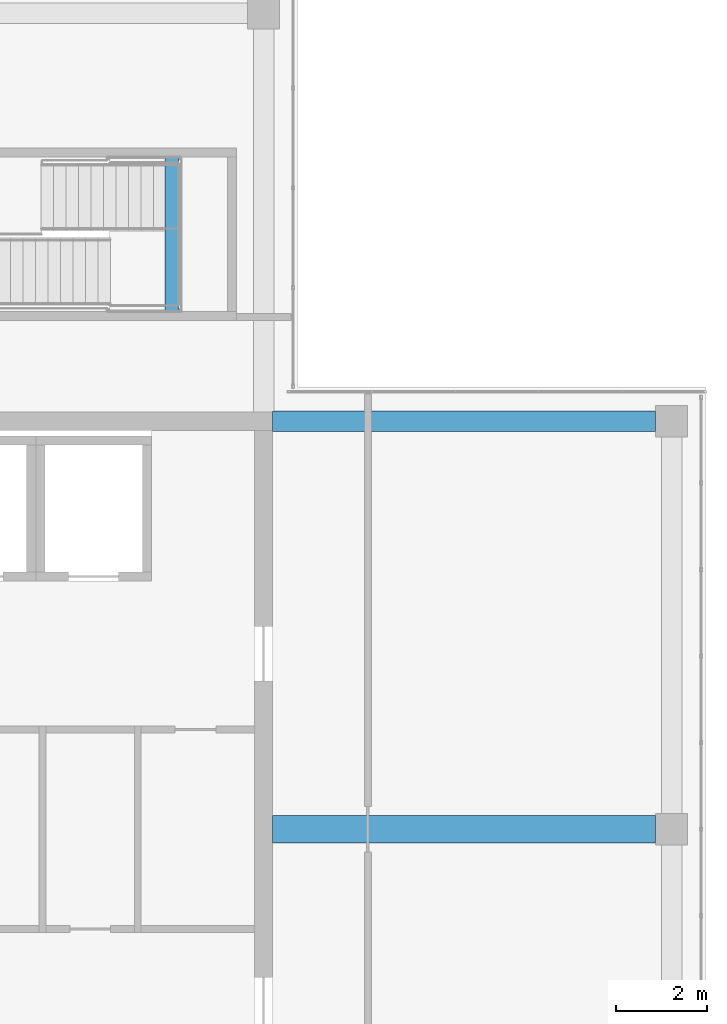
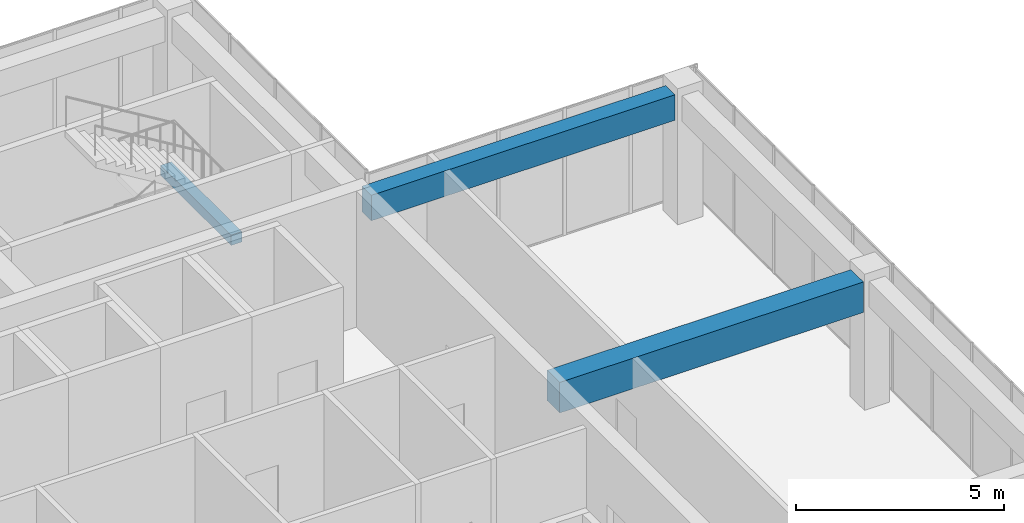
# One storey, part 23 of 43: 3 beams.
"""IFC4 building model written with IfcOpenShell, lengths in metres."""

from ifc_helpers import new_model, si_unit, direction, frame, origin, origin_2d, place, context, subcontext, project, spatial, rectangle, extrude, material, material_profile, profile_set, type_object, element, save


model = new_model("IFC4")

# Units and contexts
model_context = context("Model", 3, precision=1e-05, world=origin(), true_north=direction((0.0, 1.0)))
body_context = subcontext(model_context, "Body", "Model", "MODEL_VIEW")
ifc_project = project(units=[si_unit("LENGTHUNIT", "METRE"), si_unit("AREAUNIT", "SQUARE_METRE"), si_unit("VOLUMEUNIT", "CUBIC_METRE"), si_unit("PLANEANGLEUNIT", "RADIAN"), si_unit("MASSUNIT", "GRAM", prefix="KILO")], contexts=[model_context])

# Site, building, storey
site_placement = place(None, origin())
site = spatial("IfcSite", under=ifc_project, at=site_placement, CompositionType="ELEMENT")
building_placement = place(site_placement, origin())
building = spatial("IfcBuilding", under=site, at=building_placement, Name="Tuart Plaza Theatre", CompositionType="ELEMENT")
storey_placement = place(building_placement, frame((0.0, 0.0, 33.5)))
storey = spatial("IfcBuildingStorey", under=building, at=storey_placement, Name="L08", CompositionType="ELEMENT", Elevation=33.5)

# Beams
ifc_material_1 = material(Name="Concrete N40 (40 MPa)", Category="concrete")
ifc_material_profile_1 = material_profile(ifc_material_1, rectangle(XDim=0.300048828125, YDim=0.300048828125, at=origin_2d()), Name="BEAM 300x300 Concrete N40 (40 MPa)")
ifc_profile_set_1 = profile_set([ifc_material_profile_1], Name="Concrete N40 (40 MPa)")
beam_type_1 = type_object("IfcBeamType", Name="BEAM 300x300 Concrete N40 (40 MPa)", PredefinedType="BEAM", material=ifc_profile_set_1)
beam_1_placement = place(storey_placement, frame((138.97998046875, 85.425048828125, 1.64990234375), z_axis=(0.0, 1.0, 0.0), x_axis=(-1.0, 0.0, 0.0)))
element("IfcBeam", 1, at=beam_1_placement, inside=storey, type_object=beam_type_1, Name="RB520", PredefinedType="BEAM", context=body_context, shape_type="SweptSolid", body=[
    extrude(rectangle(XDim=0.300048828125, YDim=0.300048828125, at=origin_2d()), origin(), (0.0, 0.0, 1.0), 3.39990234375),
])
ifc_material_2 = material(Name="Concrete N40 (40 MPa)", Category="concrete")
ifc_material_profile_2 = material_profile(ifc_material_2, rectangle(XDim=0.449951171875, YDim=0.75, at=origin_2d()), Name="BEAM 450x750 Concrete N40 (40 MPa)")
ifc_profile_set_2 = profile_set([ifc_material_profile_2], Name="Concrete N40 (40 MPa)")
beam_type_2 = type_object("IfcBeamType", Name="BEAM 450x750 Concrete N40 (40 MPa)", PredefinedType="BEAM", material=ifc_profile_set_2)
beam_2_placement = place(storey_placement, frame((141.199951171875, 83.0, 3.375), z_axis=(1.0, 0.0, 0.0), x_axis=(0.0, 1.0, 0.0)))
element("IfcBeam", 2, at=beam_2_placement, inside=storey, type_object=beam_type_2, Name="RB276", PredefinedType="BEAM", context=body_context, shape_type="SweptSolid", body=[
    extrude(rectangle(XDim=0.449951171875, YDim=0.75, at=origin_2d()), origin(), (0.0, 0.0, 1.0), 8.449951171875),
])
ifc_material_3 = material(Name="Concrete N40 (40 MPa)", Category="concrete")
ifc_material_profile_3 = material_profile(ifc_material_3, rectangle(XDim=0.60009765625, YDim=0.89990234375, at=origin_2d()), Name="BEAM 600x900 Concrete N40 (40 MPa)")
ifc_profile_set_3 = profile_set([ifc_material_profile_3], Name="Concrete N40 (40 MPa)")
beam_type_3 = type_object("IfcBeamType", Name="BEAM 600x900 Concrete N40 (40 MPa)", PredefinedType="BEAM", material=ifc_profile_set_3)
beam_3_placement = place(storey_placement, frame((141.199951171875, 74.0, 3.300048828125), z_axis=(1.0, 0.0, 0.0), x_axis=(0.0, 1.0, 0.0)))
element("IfcBeam", 3, at=beam_3_placement, inside=storey, type_object=beam_type_3, Name="RB275", PredefinedType="BEAM", context=body_context, shape_type="SweptSolid", body=[
    extrude(rectangle(XDim=0.60009765625, YDim=0.89990234375, at=origin_2d()), origin(), (0.0, 0.0, 1.0), 8.449951171875),
])

save(model, "model.ifc")
